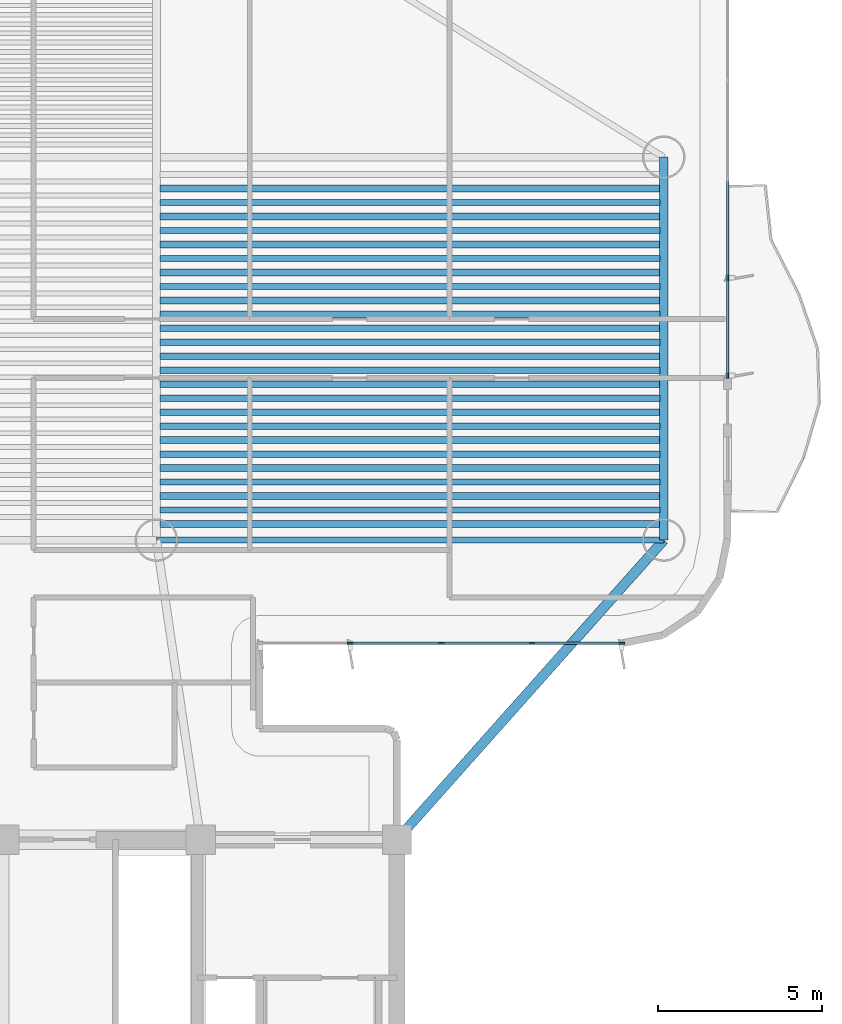
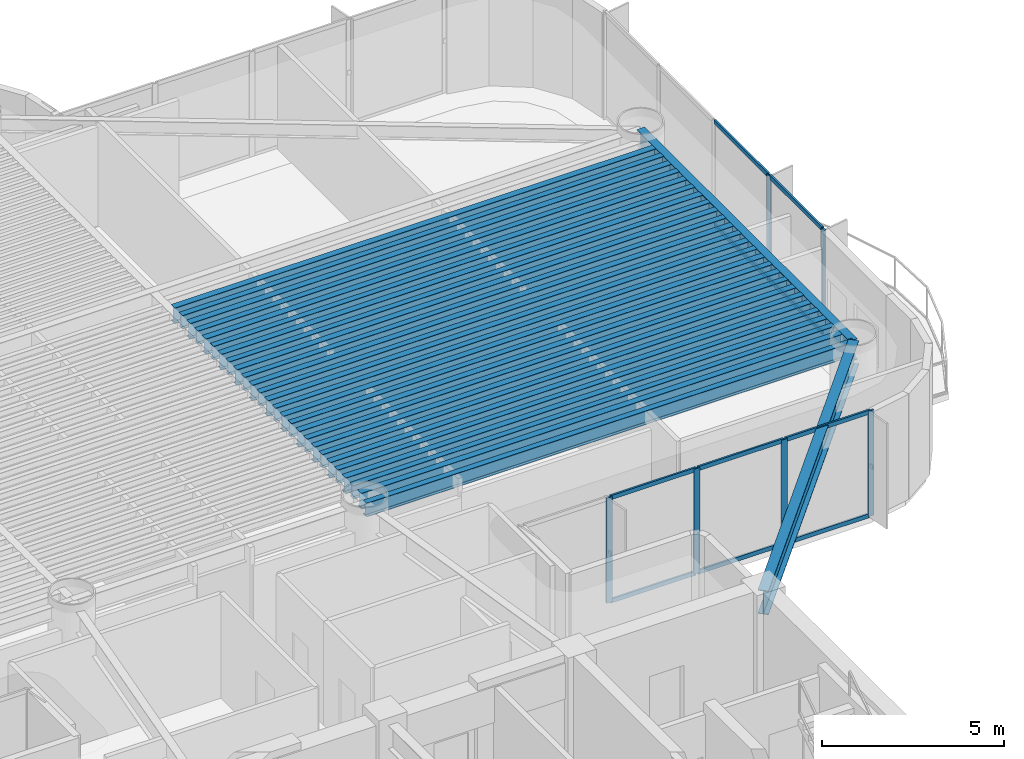
# One storey, part 4 of 16: 28 beams, 16 members, 2 elements without a shape of their own.
"""IFC4 building model written with IfcOpenShell, lengths in metres."""

import ifcopenshell
import ifcopenshell.guid

model = None  # the IFC model being written
_history = None  # IfcOwnerHistory: only IFC2X3 demands one
_inside = {}  # id of a spatial element -> (the spatial element, [elements in it])
_under = {}  # id of a project, library or spatial element -> (it, [spatial elements below it])
_declared = {}  # id of a project -> (the project, [libraries it declares])
_typed = {}  # id of a type object -> (the type object, [elements of that type])
_made_of = {}  # id of a material, layer set ... -> (it, [elements and type objects made of it])


def new_model(schema):
    """Start an empty IFC model of exactly this schema.

    Asked for "IFC4X3", IfcOpenShell would pick the latest addendum, in which some entities
    have other attributes; the version numbers below select the first issue.
    IFC2X3 requires an IfcOwnerHistory on every rooted entity: one is made here for all.
    """
    global model, _history
    if schema == "IFC4X3":
        model = ifcopenshell.file(schema_version=(4, 3, 0, 0))
    else:
        model = ifcopenshell.file(schema=schema)
    _inside.clear()
    _under.clear()
    _declared.clear()
    _typed.clear()
    _made_of.clear()
    _history = None
    if model.schema == "IFC2X3":
        org = make("IfcOrganization", Name="unknown")
        user = make(
            "IfcPersonAndOrganization",
            ThePerson=make("IfcPerson", FamilyName="unknown"),
            TheOrganization=org,
        )
        app = make(
            "IfcApplication",
            ApplicationDeveloper=org,
            Version="unknown",
            ApplicationFullName="unknown",
            ApplicationIdentifier="unknown",
        )
        _history = make(
            "IfcOwnerHistory",
            OwningUser=user,
            OwningApplication=app,
            ChangeAction="ADDED",
            CreationDate=0,
        )
    return model


def make(cls, **values):
    """One entity of the class cls with the attributes given. An attribute that is None is left unset."""
    return model.create_entity(
        cls, **{name: value for name, value in values.items() if value is not None}
    )


def rooted(cls, **values):
    """An entity with a GlobalId (a new one), such as an element, a storey or a relation."""
    return make(cls, GlobalId=ifcopenshell.guid.new(), OwnerHistory=_history, **values)


def si_unit(unit_type, name, prefix=None):
    """IfcSIUnit, for example si_unit("LENGTHUNIT", "METRE", prefix="MILLI")."""
    return make("IfcSIUnit", UnitType=unit_type, Prefix=prefix, Name=name)


def assignment(units):
    """IfcUnitAssignment: the units of a project."""
    return None if units is None else make("IfcUnitAssignment", Units=units)


def point(xyz):
    """IfcCartesianPoint."""
    return None if xyz is None else make("IfcCartesianPoint", Coordinates=xyz)


def direction(xyz):
    """IfcDirection."""
    return None if xyz is None else make("IfcDirection", DirectionRatios=xyz)


def frame(location, z_axis=None, x_axis=None):
    """IfcAxis2Placement3D, a coordinate frame: its origin and axes. An axis left out is left unset."""
    return make(
        "IfcAxis2Placement3D",
        Location=point(location),
        Axis=direction(z_axis),
        RefDirection=direction(x_axis),
    )


def frame_2d(location, x_axis=None):
    """IfcAxis2Placement2D, a coordinate frame in the plane: its origin and x axis."""
    return make(
        "IfcAxis2Placement2D", Location=point(location), RefDirection=direction(x_axis)
    )


def origin():
    """The frame at (0, 0, 0) with its axes left unset."""
    return frame((0.0, 0.0, 0.0))


def origin_2d():
    """The frame at (0, 0) in the plane with its x axis left unset."""
    return frame_2d((0.0, 0.0))


def place(relative_to, where):
    """IfcLocalPlacement: puts the frame where relative to a parent placement (None: the world)."""
    return make(
        "IfcLocalPlacement", PlacementRelTo=relative_to, RelativePlacement=where
    )


def context(
    kind, dimensions, precision=None, world=None, true_north=None, identifier=None
):
    """IfcGeometricRepresentationContext, for example the 3D "Model" context."""
    return make(
        "IfcGeometricRepresentationContext",
        ContextIdentifier=identifier,
        ContextType=kind,
        CoordinateSpaceDimension=dimensions,
        Precision=precision,
        WorldCoordinateSystem=world,
        TrueNorth=true_north,
    )


def subcontext(parent, identifier, kind, view, scale=None):
    """IfcGeometricRepresentationSubContext, for example "Body" below "Model"."""
    return make(
        "IfcGeometricRepresentationSubContext",
        ContextIdentifier=identifier,
        ContextType=kind,
        ParentContext=parent,
        TargetScale=scale,
        TargetView=view,
    )


def project(units=None, contexts=None):
    """IfcProject with its units and contexts."""
    return rooted(
        "IfcProject",
        Name="project",
        RepresentationContexts=contexts,
        UnitsInContext=assignment(units),
    )


def spatial(cls, under=None, at=None, **own):
    """A site, building, storey or space (cls), placed at a placement, below another one or the project."""
    s = rooted(cls, ObjectPlacement=at, **own)
    if under is not None:
        _under.setdefault(under.id(), (under, []))[1].append(s)
    return s


def profile(cls, at=None, kind="AREA", **sizes):
    """A parametric profile (cls). Its sizes go by their IFC names, for example OverallWidth=200.0."""
    return make(cls, ProfileType=kind, Position=at, **sizes)


def rectangle(**sizes):
    """IfcRectangleProfileDef."""
    return profile("IfcRectangleProfileDef", **sizes)


def i_section(**sizes):
    """IfcIShapeProfileDef."""
    return profile("IfcIShapeProfileDef", **sizes)


def extrude(swept, where, along, depth):
    """IfcExtrudedAreaSolid: the profile swept, set in the frame where, extruded along a direction by depth."""
    return make(
        "IfcExtrudedAreaSolid",
        SweptArea=swept,
        Position=where,
        ExtrudedDirection=direction(along),
        Depth=depth,
    )


def shape(context_of_items, identifier, shape_type, items):
    """IfcShapeRepresentation: the items that make up one representation, for example the "Body"."""
    return make(
        "IfcShapeRepresentation",
        ContextOfItems=context_of_items,
        RepresentationIdentifier=identifier,
        RepresentationType=shape_type,
        Items=items,
    )


def source(mapping_origin, context_of_items, identifier, shape_type, items):
    """IfcRepresentationMap: a shape defined once, which mapped items show again and again."""
    return make(
        "IfcRepresentationMap",
        MappingOrigin=mapping_origin,
        MappedRepresentation=shape(context_of_items, identifier, shape_type, items),
    )


def transform(
    local_origin,
    x_axis=None,
    y_axis=None,
    z_axis=None,
    scale=None,
    scale2=None,
    scale3=None,
    uniform=True,
):
    """IfcCartesianTransformationOperator3D, or its non-uniform kind. x_axis, y_axis, z_axis: its Axis1, 2, 3."""
    if uniform:
        return make(
            "IfcCartesianTransformationOperator3D",
            Axis1=direction(x_axis),
            Axis2=direction(y_axis),
            LocalOrigin=point(local_origin),
            Scale=scale,
            Axis3=direction(z_axis),
        )
    return make(
        "IfcCartesianTransformationOperator3DnonUniform",
        Axis1=direction(x_axis),
        Axis2=direction(y_axis),
        LocalOrigin=point(local_origin),
        Scale=scale,
        Axis3=direction(z_axis),
        Scale2=scale2,
        Scale3=scale3,
    )


def mapped(mapping_source, mapping_target):
    """IfcMappedItem: shows the shape of a source again, moved by a transform."""
    return make(
        "IfcMappedItem", MappingSource=mapping_source, MappingTarget=mapping_target
    )


def material(Name=None, Category=None):
    """IfcMaterial."""
    return make("IfcMaterial", Name=Name, Category=Category)


def layer(
    of_material, thickness, ventilated=None, Name=None, Category=None, Priority=None
):
    """IfcMaterialLayer: one layer of a wall or slab, of a material (None: an air gap)."""
    return make(
        "IfcMaterialLayer",
        Material=of_material,
        LayerThickness=thickness,
        IsVentilated=ventilated,
        Name=Name,
        Category=Category,
        Priority=Priority,
    )


def layer_set(layers, Name=None):
    """IfcMaterialLayerSet."""
    return make("IfcMaterialLayerSet", MaterialLayers=layers, LayerSetName=Name)


def material_profile(
    of_material, cross_section, Name=None, Category=None, Priority=None
):
    """IfcMaterialProfile: a cross section and its material."""
    return make(
        "IfcMaterialProfile",
        Name=Name,
        Material=of_material,
        Profile=cross_section,
        Priority=Priority,
        Category=Category,
    )


def profile_set(profiles, Name=None, composite=None):
    """IfcMaterialProfileSet."""
    return make(
        "IfcMaterialProfileSet",
        Name=Name,
        MaterialProfiles=profiles,
        CompositeProfile=composite,
    )


def made_of(thing, what):
    """Note that an element or type object is made of a material, layer set ...; save() writes the relation."""
    if what is not None:
        _made_of.setdefault(what.id(), (what, []))[1].append(thing)
    return thing


def type_object(cls, material=None, **own):
    """A type object (cls), such as IfcWallType, which elements share."""
    return made_of(rooted(cls, **own), material)


def element(
    cls,
    number,
    at=None,
    inside=None,
    cuts=None,
    type_object=None,
    material=None,
    context=None,
    identifier="Body",
    shape_type=None,
    held_by="IfcProductDefinitionShape",
    body=None,
    shapes=None,
    **own,
):
    """One element of the class cls, such as IfcWall. Its Tag is "e" and its number.

    at: its placement. inside: the storey or other place that contains it. cuts: it is an
    opening in that element (IfcRelVoidsElement). A single representation is given by context,
    identifier, shape_type and body (its items); several are given by shapes. held_by: the class
    of the entity that holds the representations. save() writes the other relations.
    """
    e = rooted(cls, Tag="e%d" % number, ObjectPlacement=at, **own)
    if body is not None:
        shapes = [shape(context, identifier, shape_type, body)]
    if shapes is not None:
        e.Representation = make(held_by, Representations=shapes)
    if inside is not None:
        _inside.setdefault(inside.id(), (inside, []))[1].append(e)
    if cuts is not None:
        rooted(
            "IfcRelVoidsElement", RelatingBuildingElement=cuts, RelatedOpeningElement=e
        )
    if type_object is not None:
        _typed.setdefault(type_object.id(), (type_object, []))[1].append(e)
    return made_of(e, material)


def aggregate(whole, parts):
    """IfcRelAggregates: a whole, such as a stair, and the parts it consists of."""
    return rooted("IfcRelAggregates", RelatingObject=whole, RelatedObjects=parts)


def save(model, path):
    """Write the relations noted so far, then the file.

    IfcRelAggregates (storeys below a building ...), IfcRelContainedInSpatialStructure (elements
    in a storey), IfcRelDefinesByType, IfcRelAssociatesMaterial and IfcRelDeclares: one each for
    every whole, place, type object, material and project.
    """
    for whole, parts in _under.values():
        aggregate(whole, parts)
    for where, things in _inside.values():
        rooted(
            "IfcRelContainedInSpatialStructure",
            RelatedElements=things,
            RelatingStructure=where,
        )
    for kind, things in _typed.values():
        rooted("IfcRelDefinesByType", RelatedObjects=things, RelatingType=kind)
    for what, things in _made_of.values():
        rooted("IfcRelAssociatesMaterial", RelatedObjects=things, RelatingMaterial=what)
    for by, libraries in _declared.values():
        rooted("IfcRelDeclares", RelatingContext=by, RelatedDefinitions=libraries)
    model.write(path)


model = new_model("IFC4")

# Units and contexts
model_context = context("Model", 3, precision=1e-05, world=origin(), true_north=direction((0.0, 1.0)))
body_context = subcontext(model_context, "Body", "Model", "MODEL_VIEW")
ifc_project = project(units=[si_unit("LENGTHUNIT", "METRE"), si_unit("AREAUNIT", "SQUARE_METRE"), si_unit("VOLUMEUNIT", "CUBIC_METRE"), si_unit("PLANEANGLEUNIT", "RADIAN"), si_unit("MASSUNIT", "GRAM", prefix="KILO")], contexts=[model_context])

# Site, building, storey
site_placement = place(None, origin())
site = spatial("IfcSite", under=ifc_project, at=site_placement, CompositionType="ELEMENT")
building_placement = place(site_placement, origin())
building = spatial("IfcBuilding", under=site, at=building_placement, Name="Brelvock Crest Care Tower", CompositionType="ELEMENT")
storey_placement = place(building_placement, frame((0.0, 0.0, 108.719970703125)))
storey = spatial("IfcBuildingStorey", under=building, at=storey_placement, Name="L27", CompositionType="ELEMENT", Elevation=108.719970703125)

# Beams
ifc_material_1 = material(Name="Steel Grade 350", Category="steel")
ifc_material_profile_1 = material_profile(ifc_material_1, i_section(OverallWidth=0.208984375, OverallDepth=0.532958984375, WebThickness=0.01025390625, FlangeThickness=0.015625, FilletRadius=0.013916015625, at=origin_2d()), Name="530UB92.4")
ifc_profile_set_1 = profile_set([ifc_material_profile_1], Name="Steel Grade 350")
beam_type_1 = type_object("IfcBeamType", Name="BM-G2", PredefinedType="BEAM", material=ifc_profile_set_1)
shared_shape_1 = source(origin(), body_context, "Body", "SweptSolid", [
    extrude(i_section(OverallWidth=0.208984375, OverallDepth=0.532958984375, WebThickness=0.01025390625, FlangeThickness=0.015625, FilletRadius=0.013916015625, at=origin_2d()), origin(), (0.0, 0.0, 1.0), 15.27001953125),
])
for number, where, z_axis, x_axis, name in (
    (1, (40.764892578125, 27.641357421875, 3.263427734375), (1.0, 0.0, 0.0), (0.0, 1.0, 0.0), "BM-JE-L27-1"),
    (2, (40.764892578125, 28.49560546875, 3.263427734375), (1.0, 0.0, 0.0), (0.0, 1.0, 0.0), "BM-JE-L27-3"),
    (3, (40.764892578125, 29.349609375, 3.263427734375), (1.0, 0.0, 0.0), (0.0, 1.0, 0.0), "BM-JE-L27-5"),
    (4, (40.764892578125, 30.20361328125, 3.263427734375), (1.0, 0.0, 0.0), (0.0, 1.0, 0.0), "BM-JE-L27-7"),
    (5, (40.764892578125, 31.057861328125, 3.263427734375), (1.0, 0.0, 0.0), (0.0, 1.0, 0.0), "BM-JE-L27-9"),
    (6, (40.764892578125, 31.911865234375, 3.263427734375), (1.0, 0.0, 0.0), (0.0, 1.0, 0.0), "BM-JE-L27-11"),
    (7, (40.764892578125, 32.76611328125, 3.263427734375), (1.0, 0.0, 0.0), (0.0, 1.0, 0.0), "BM-JE-L27-13"),
    (8, (40.764892578125, 33.6201171875, 3.263427734375), (1.0, 0.0, 0.0), (0.0, 1.0, 0.0), "BM-JE-L27-15"),
    (9, (40.764892578125, 34.47412109375, 3.263427734375), (1.0, 0.0, 0.0), (0.0, 1.0, 0.0), "BM-JE-L27-17"),
    (10, (40.764892578125, 35.328369140625, 3.263427734375), (1.0, 0.0, 0.0), (0.0, 1.0, 0.0), "BM-JE-L27-19"),
    (11, (40.764892578125, 36.182373046875, 3.263427734375), (1.0, 0.0, 0.0), (0.0, 1.0, 0.0), "BM-JE-L27-21"),
    (12, (40.764892578125, 37.03662109375, 3.263427734375), (1.0, 0.0, 0.0), (0.0, 1.0, 0.0), "BM-JE-L27-23"),
    (13, (40.764892578125, 37.890625, 3.263427734375), (1.0, 0.0, 0.0), (0.0, 1.0, 0.0), "BM-JE-L27-25"),
):
    element("IfcBeam", number, at=place(storey_placement, frame(where, z_axis=z_axis, x_axis=x_axis)), inside=storey, type_object=beam_type_1, Name=name, PredefinedType="BEAM", context=body_context, shape_type="MappedRepresentation", body=[
        mapped(shared_shape_1, transform((0.0, 0.0, 0.0), x_axis=(1.0, 0.0, 0.0), y_axis=(0.0, 1.0, 0.0), z_axis=(0.0, 0.0, 1.0), scale=1.0)),
    ])
ifc_material_profile_2 = material_profile(ifc_material_1, i_section(OverallWidth=0.19091796875, OverallDepth=0.4599609375, WebThickness=0.010009765625, FlangeThickness=0.01611328125, FilletRadius=0.011474609375, at=origin_2d()), Name="460UB82.1")
ifc_profile_set_2 = profile_set([ifc_material_profile_2], Name="Steel Grade 350")
beam_type_2 = type_object("IfcBeamType", Name="BM-G3", PredefinedType="BEAM", material=ifc_profile_set_2)
shared_shape_2 = source(origin(), body_context, "Body", "SweptSolid", [
    extrude(i_section(OverallWidth=0.19091796875, OverallDepth=0.4599609375, WebThickness=0.010009765625, FlangeThickness=0.01611328125, FilletRadius=0.011474609375, at=origin_2d()), origin(), (0.0, 0.0, 1.0), 15.27001953125),
])
for number, where, z_axis, x_axis, name in (
    (14, (40.764892578125, 28.068359375, 3.300048828125), (1.0, 0.0, 0.0), (0.0, 1.0, 0.0), "BM-JE-L27-2"),
    (15, (40.764892578125, 28.922607421875, 3.300048828125), (1.0, 0.0, 0.0), (0.0, 1.0, 0.0), "BM-JE-L27-4"),
    (16, (40.764892578125, 29.776611328125, 3.300048828125), (1.0, 0.0, 0.0), (0.0, 1.0, 0.0), "BM-JE-L27-6"),
    (17, (40.764892578125, 30.630615234375, 3.300048828125), (1.0, 0.0, 0.0), (0.0, 1.0, 0.0), "BM-JE-L27-8"),
    (18, (40.764892578125, 31.48486328125, 3.300048828125), (1.0, 0.0, 0.0), (0.0, 1.0, 0.0), "BM-JE-L27-10"),
    (19, (40.764892578125, 32.3388671875, 3.300048828125), (1.0, 0.0, 0.0), (0.0, 1.0, 0.0), "BM-JE-L27-12"),
    (20, (40.764892578125, 33.193115234375, 3.300048828125), (1.0, 0.0, 0.0), (0.0, 1.0, 0.0), "BM-JE-L27-14"),
    (21, (40.764892578125, 34.047119140625, 3.300048828125), (1.0, 0.0, 0.0), (0.0, 1.0, 0.0), "BM-JE-L27-16"),
    (22, (40.764892578125, 34.901123046875, 3.300048828125), (1.0, 0.0, 0.0), (0.0, 1.0, 0.0), "BM-JE-L27-18"),
    (23, (40.764892578125, 35.75537109375, 3.300048828125), (1.0, 0.0, 0.0), (0.0, 1.0, 0.0), "BM-JE-L27-20"),
    (24, (40.764892578125, 36.609619140625, 3.300048828125), (1.0, 0.0, 0.0), (0.0, 1.0, 0.0), "BM-JE-L27-22"),
    (25, (40.764892578125, 37.46337890625, 3.300048828125), (1.0, 0.0, 0.0), (0.0, 1.0, 0.0), "BM-JE-L27-24"),
):
    element("IfcBeam", number, at=place(storey_placement, frame(where, z_axis=z_axis, x_axis=x_axis)), inside=storey, type_object=beam_type_2, Name=name, PredefinedType="BEAM", context=body_context, shape_type="MappedRepresentation", body=[
        mapped(shared_shape_2, transform((0.0, 0.0, 0.0), x_axis=(1.0, 0.0, 0.0), y_axis=(0.0, 1.0, 0.0), z_axis=(0.0, 0.0, 1.0), scale=1.0)),
    ])
ifc_material_profile_3 = material_profile(ifc_material_1, i_section(OverallWidth=0.25, OverallDepth=0.699951171875, WebThickness=0.011962890625, FlangeThickness=0.02001953125, at=origin_2d()), Name="700WB150")
ifc_profile_set_3 = profile_set([ifc_material_profile_3], Name="Steel Grade 350")
beam_type_3 = type_object("IfcBeamType", Name="BM-G4", PredefinedType="BEAM", material=ifc_profile_set_3)
shared_shape_3 = source(origin(), body_context, "Body", "SweptSolid", [
    extrude(i_section(OverallWidth=0.25, OverallDepth=0.699951171875, WebThickness=0.011962890625, FlangeThickness=0.02001953125, at=origin_2d()), origin(), (0.0, 0.0, 1.0), 11.7001953125),
])
beam_1_placement = place(storey_placement, frame((56.14990234375, 27.14990234375, 3.179931640625), z_axis=(0.0, 1.0, 0.0), x_axis=(-1.0, 0.0, 0.0)))
element("IfcBeam", 26, at=beam_1_placement, inside=storey, type_object=beam_type_3, Name="BM-TWR-L27-02", PredefinedType="BEAM", context=body_context, shape_type="MappedRepresentation", body=[
    mapped(shared_shape_3, transform((0.0, 0.0, 0.0), x_axis=(1.0, 0.0, 0.0), y_axis=(0.0, 1.0, 0.0), z_axis=(0.0, 0.0, 1.0), scale=1.0)),
])
ifc_material_profile_4 = material_profile(ifc_material_1, i_section(OverallWidth=0.19091796875, OverallDepth=0.4599609375, WebThickness=0.010009765625, FlangeThickness=0.01611328125, FilletRadius=0.011474609375, at=origin_2d()), Name="460UB82.1")
ifc_profile_set_4 = profile_set([ifc_material_profile_4], Name="Steel Grade 350")
beam_type_4 = type_object("IfcBeamType", Name="BM-SP2", PredefinedType="SPANDREL", material=ifc_profile_set_4)
shared_shape_4 = source(origin(), body_context, "Body", "SweptSolid", [
    extrude(i_section(OverallWidth=0.19091796875, OverallDepth=0.4599609375, WebThickness=0.010009765625, FlangeThickness=0.01611328125, FilletRadius=0.011474609375, at=origin_2d()), origin(), (0.0, 0.0, 1.0), 15.5),
])
beam_2_placement = place(storey_placement, frame((40.64990234375, 27.14990234375, 3.300048828125), z_axis=(1.0, 0.0, 0.0), x_axis=(0.0, 1.0, 0.0)))
element("IfcBeam", 27, at=beam_2_placement, inside=storey, type_object=beam_type_4, Name="BM-TWR-L27-04", PredefinedType="SPANDREL", context=body_context, shape_type="MappedRepresentation", body=[
    mapped(shared_shape_4, transform((0.0, 0.0, 0.0), x_axis=(1.0, 0.0, 0.0), y_axis=(0.0, 1.0, 0.0), z_axis=(0.0, 0.0, 1.0), scale=1.0)),
])
ifc_material_profile_5 = material_profile(ifc_material_1, i_section(OverallWidth=0.300048828125, OverallDepth=0.800048828125, WebThickness=0.013916015625, FlangeThickness=0.02197265625, at=origin_2d()), Name="800WB192")
ifc_profile_set_5 = profile_set([ifc_material_profile_5], Name="Steel Grade 350")
beam_type_5 = type_object("IfcBeamType", Name="BM-G5", PredefinedType="BEAM", material=ifc_profile_set_5)
shared_shape_5 = source(origin(), body_context, "Body", "SweptSolid", [
    extrude(i_section(OverallWidth=0.300048828125, OverallDepth=0.800048828125, WebThickness=0.013916015625, FlangeThickness=0.02197265625, at=origin_2d()), origin(), (0.0, 0.0, 1.0), 12.253173828125),
])
beam_3_placement = place(storey_placement, frame((48.0, 18.0, 3.130126953125), z_axis=(0.665122829149, 0.746733970129, 0.0), x_axis=(-0.746733970129, 0.665122829149, 0.0)))
element("IfcBeam", 28, at=beam_3_placement, inside=storey, type_object=beam_type_5, Name="BM-THRO-E-L27", PredefinedType="BEAM", context=body_context, shape_type="MappedRepresentation", body=[
    mapped(shared_shape_5, transform((0.0, 0.0, 0.0), x_axis=(1.0, 0.0, 0.0), y_axis=(0.0, 1.0, 0.0), z_axis=(0.0, 0.0, 1.0), scale=1.0)),
])

# Curtain wall, members
ifc_material_2 = material(Name="Dark Glass Double Glazed Low-E", Category="glass")
ifc_layer = layer(ifc_material_2, 0.2099609375, Name="CWS-3")
ifc_layer_set = layer_set([ifc_layer], Name="Dark Glass Double Glazed Low-E")
curtain_wall_type = type_object("IfcCurtainWallType", Name="CWS-3", PredefinedType="NOTDEFINED", material=ifc_layer_set)
curtain_wall_1_placement = place(storey_placement, origin())
curtain_wall_1 = element("IfcCurtainWall", 29, at=curtain_wall_1_placement, inside=storey, type_object=curtain_wall_type, Name="L27 Curtain Wall E39A", PredefinedType="NOTDEFINED")
ifc_material_3 = material(Name="Aluminium 6063-T6", Category="aluminium")
ifc_material_profile_6 = material_profile(ifc_material_3, rectangle(XDim=0.06005859375, YDim=0.179931640625, at=origin_2d()), Name="ALU60x180")
ifc_profile_set_6 = profile_set([ifc_material_profile_6], Name="Aluminium 6063-T6")
member_type_1 = type_object("IfcMemberType", Name="CWM-2", PredefinedType="MULLION", material=ifc_profile_set_6)
shared_shape_6 = source(origin(), body_context, "Body", "SweptSolid", [
    extrude(rectangle(XDim=0.06005859375, YDim=0.179931640625, at=origin_2d()), origin(), (0.0, 0.0, 1.0), 3.530029296875),
])
member_1_placement = place(storey_placement, frame((58.10009765625, 35.16259765625, 0.0), z_axis=(0.0, 0.0, 1.0), x_axis=(1.0, 0.0, 0.0)))
member_1 = element("IfcMember", 30, at=member_1_placement, type_object=member_type_1, Name="CW-3 mullion 4", PredefinedType="MULLION", context=body_context, shape_type="MappedRepresentation", body=[
    mapped(shared_shape_6, transform((0.0, 0.0, 0.0), x_axis=(1.0, 0.0, 0.0), y_axis=(0.0, 1.0, 0.0), z_axis=(0.0, 0.0, 1.0), scale=1.0)),
])
member_2_placement = place(storey_placement, frame((58.10009765625, 32.179931640625, 0.0), z_axis=(0.0, 0.0, 1.0), x_axis=(1.0, 0.0, 0.0)))
member_2 = element("IfcMember", 31, at=member_2_placement, type_object=member_type_1, Name="CW-3 mullion 5", PredefinedType="MULLION", context=body_context, shape_type="MappedRepresentation", body=[
    mapped(shared_shape_6, transform((0.0, 0.0, 0.0), x_axis=(1.0, 0.0, 0.0), y_axis=(0.0, 1.0, 0.0), z_axis=(0.0, 0.0, 1.0), scale=1.0)),
])

curtain_wall_2_placement = place(storey_placement, origin())
curtain_wall_2 = element("IfcCurtainWall", 32, at=curtain_wall_2_placement, inside=storey, type_object=curtain_wall_type, Name="L27 Curtain Wall E44", PredefinedType="NOTDEFINED")
member_3_placement = place(storey_placement, frame((54.8701171875, 24.0, 0.0), z_axis=(0.0, 0.0, 1.0), x_axis=(0.0, -1.0, 0.0)))
member_3 = element("IfcMember", 33, at=member_3_placement, type_object=member_type_1, Name="CW-3 mullion 1", PredefinedType="MULLION", context=body_context, shape_type="MappedRepresentation", body=[
    mapped(shared_shape_6, transform((0.0, 0.0, 0.0), x_axis=(1.0, 0.0, 0.0), y_axis=(0.0, 1.0, 0.0), z_axis=(0.0, 0.0, 1.0), scale=1.0)),
])
member_4_placement = place(storey_placement, frame((52.125, 24.0, 0.0), z_axis=(0.0, 0.0, 1.0), x_axis=(0.0, -1.0, 0.0)))
member_4 = element("IfcMember", 34, at=member_4_placement, type_object=member_type_1, Name="CW-3 mullion 2", PredefinedType="MULLION", context=body_context, shape_type="MappedRepresentation", body=[
    mapped(shared_shape_6, transform((0.0, 0.0, 0.0), x_axis=(1.0, 0.0, 0.0), y_axis=(0.0, 1.0, 0.0), z_axis=(0.0, 0.0, 1.0), scale=1.0)),
])
member_5_placement = place(storey_placement, frame((49.35009765625, 24.0, 0.0), z_axis=(0.0, 0.0, 1.0), x_axis=(0.0, -1.0, 0.0)))
member_5 = element("IfcMember", 35, at=member_5_placement, type_object=member_type_1, Name="CW-3 mullion 3", PredefinedType="MULLION", context=body_context, shape_type="MappedRepresentation", body=[
    mapped(shared_shape_6, transform((0.0, 0.0, 0.0), x_axis=(1.0, 0.0, 0.0), y_axis=(0.0, 1.0, 0.0), z_axis=(0.0, 0.0, 1.0), scale=1.0)),
])
member_6_placement = place(storey_placement, frame((46.574951171875, 24.0, 0.0), z_axis=(0.0, 0.0, 1.0), x_axis=(0.0, -1.0, 0.0)))
member_6 = element("IfcMember", 36, at=member_6_placement, type_object=member_type_1, Name="CW-3 mullion 4", PredefinedType="MULLION", context=body_context, shape_type="MappedRepresentation", body=[
    mapped(shared_shape_6, transform((0.0, 0.0, 0.0), x_axis=(1.0, 0.0, 0.0), y_axis=(0.0, 1.0, 0.0), z_axis=(0.0, 0.0, 1.0), scale=1.0)),
])
ifc_material_profile_7 = material_profile(ifc_material_3, rectangle(XDim=0.06005859375, YDim=0.139892578125, at=origin_2d()), Name="ALU60x140")
ifc_profile_set_7 = profile_set([ifc_material_profile_7], Name="Aluminium 6063-T6")
member_type_2 = type_object("IfcMemberType", Name="CWT-2", PredefinedType="USERDEFINED", material=ifc_profile_set_7)
shared_shape_7 = source(origin(), body_context, "Body", "SweptSolid", [
    extrude(rectangle(XDim=0.06005859375, YDim=0.139892578125, at=origin_2d()), origin(), (0.0, 0.0, 1.0), 2.715087890625),
])
member_7_placement = place(storey_placement, frame((52.094970703125, 24.0, 0.030029296875), z_axis=(-1.0, 0.0, 0.0), x_axis=(0.0, -1.0, 0.0)))
member_7 = element("IfcMember", 37, at=member_7_placement, type_object=member_type_2, Name="CW-3 transom 2.1", ObjectType="TRANSOM", PredefinedType="USERDEFINED", context=body_context, shape_type="MappedRepresentation", body=[
    mapped(shared_shape_7, transform((0.0, 0.0, 0.0), x_axis=(1.0, 0.0, 0.0), y_axis=(0.0, 1.0, 0.0), z_axis=(0.0, 0.0, 1.0), scale=1.0)),
])
member_8_placement = place(storey_placement, frame((52.094970703125, 24.0, 3.5), z_axis=(-1.0, 0.0, 0.0), x_axis=(0.0, -1.0, 0.0)))
member_8 = element("IfcMember", 38, at=member_8_placement, type_object=member_type_2, Name="CW-3 transom 2.2", ObjectType="TRANSOM", PredefinedType="USERDEFINED", context=body_context, shape_type="MappedRepresentation", body=[
    mapped(shared_shape_7, transform((0.0, 0.0, 0.0), x_axis=(1.0, 0.0, 0.0), y_axis=(0.0, 1.0, 0.0), z_axis=(0.0, 0.0, 1.0), scale=1.0)),
])
member_9_placement = place(storey_placement, frame((49.320068359375, 24.0, 0.030029296875), z_axis=(-1.0, 0.0, 0.0), x_axis=(0.0, -1.0, 0.0)))
member_9 = element("IfcMember", 39, at=member_9_placement, type_object=member_type_2, Name="CW-3 transom 3.1", ObjectType="TRANSOM", PredefinedType="USERDEFINED", context=body_context, shape_type="MappedRepresentation", body=[
    mapped(shared_shape_7, transform((0.0, 0.0, 0.0), x_axis=(1.0, 0.0, 0.0), y_axis=(0.0, 1.0, 0.0), z_axis=(0.0, 0.0, 1.0), scale=1.0)),
])
member_10_placement = place(storey_placement, frame((49.320068359375, 24.0, 3.5), z_axis=(-1.0, 0.0, 0.0), x_axis=(0.0, -1.0, 0.0)))
member_10 = element("IfcMember", 40, at=member_10_placement, type_object=member_type_2, Name="CW-3 transom 3.2", ObjectType="TRANSOM", PredefinedType="USERDEFINED", context=body_context, shape_type="MappedRepresentation", body=[
    mapped(shared_shape_7, transform((0.0, 0.0, 0.0), x_axis=(1.0, 0.0, 0.0), y_axis=(0.0, 1.0, 0.0), z_axis=(0.0, 0.0, 1.0), scale=1.0)),
])
shared_shape_8 = source(origin(), body_context, "Body", "SweptSolid", [
    extrude(rectangle(XDim=0.06005859375, YDim=0.139892578125, at=origin_2d()), origin(), (0.0, 0.0, 1.0), 2.68505859375),
])
member_11_placement = place(storey_placement, frame((54.840087890625, 24.0, 0.030029296875), z_axis=(-1.0, 0.0, 0.0), x_axis=(0.0, -1.0, 0.0)))
member_11 = element("IfcMember", 41, at=member_11_placement, type_object=member_type_2, Name="CW-3 transom 1.1", ObjectType="TRANSOM", PredefinedType="USERDEFINED", context=body_context, shape_type="MappedRepresentation", body=[
    mapped(shared_shape_8, transform((0.0, 0.0, 0.0), x_axis=(1.0, 0.0, 0.0), y_axis=(0.0, 1.0, 0.0), z_axis=(0.0, 0.0, 1.0), scale=1.0)),
])
member_12_placement = place(storey_placement, frame((54.840087890625, 24.0, 3.5), z_axis=(-1.0, 0.0, 0.0), x_axis=(0.0, -1.0, 0.0)))
member_12 = element("IfcMember", 42, at=member_12_placement, type_object=member_type_2, Name="CW-3 transom 1.2", ObjectType="TRANSOM", PredefinedType="USERDEFINED", context=body_context, shape_type="MappedRepresentation", body=[
    mapped(shared_shape_8, transform((0.0, 0.0, 0.0), x_axis=(1.0, 0.0, 0.0), y_axis=(0.0, 1.0, 0.0), z_axis=(0.0, 0.0, 1.0), scale=1.0)),
])
aggregate(curtain_wall_2, [member_3, member_4, member_5, member_6, member_11, member_12, member_7, member_8, member_9, member_10])

# Member
shared_shape_9 = source(origin(), body_context, "Body", "SweptSolid", [
    extrude(rectangle(XDim=0.06005859375, YDim=0.139892578125, at=origin_2d()), origin(), (0.0, 0.0, 1.0), 2.922607421875),
])
member_13_placement = place(storey_placement, frame((58.10009765625, 35.132568359375, 0.030029296875), z_axis=(0.0, -1.0, 0.0), x_axis=(1.0, 0.0, 0.0)))
member_13 = element("IfcMember", 43, at=member_13_placement, type_object=member_type_2, Name="CW-3 transom 4.1", ObjectType="TRANSOM", PredefinedType="USERDEFINED", context=body_context, shape_type="MappedRepresentation", body=[
    mapped(shared_shape_9, transform((0.0, 0.0, 0.0), x_axis=(1.0, 0.0, 0.0), y_axis=(0.0, 1.0, 0.0), z_axis=(0.0, 0.0, 1.0), scale=1.0)),
])

member_14_placement = place(storey_placement, frame((58.10009765625, 35.132568359375, 3.5), z_axis=(0.0, -1.0, 0.0), x_axis=(1.0, 0.0, 0.0)))
member_14 = element("IfcMember", 44, at=member_14_placement, type_object=member_type_2, Name="CW-3 transom 4.2", ObjectType="TRANSOM", PredefinedType="USERDEFINED", context=body_context, shape_type="MappedRepresentation", body=[
    mapped(shared_shape_9, transform((0.0, 0.0, 0.0), x_axis=(1.0, 0.0, 0.0), y_axis=(0.0, 1.0, 0.0), z_axis=(0.0, 0.0, 1.0), scale=1.0)),
])

shared_shape_10 = source(origin(), body_context, "Body", "SweptSolid", [
    extrude(rectangle(XDim=0.06005859375, YDim=0.139892578125, at=origin_2d()), origin(), (0.0, 0.0, 1.0), 2.95263671875),
])
member_15_placement = place(storey_placement, frame((58.10009765625, 38.14501953125, 0.030029296875), z_axis=(0.0, -1.0, 0.0), x_axis=(1.0, 0.0, 0.0)))
member_15 = element("IfcMember", 45, at=member_15_placement, type_object=member_type_2, Name="CW-3 transom 3.1", ObjectType="TRANSOM", PredefinedType="USERDEFINED", context=body_context, shape_type="MappedRepresentation", body=[
    mapped(shared_shape_10, transform((0.0, 0.0, 0.0), x_axis=(1.0, 0.0, 0.0), y_axis=(0.0, 1.0, 0.0), z_axis=(0.0, 0.0, 1.0), scale=1.0)),
])

member_16_placement = place(storey_placement, frame((58.10009765625, 38.14501953125, 3.5), z_axis=(0.0, -1.0, 0.0), x_axis=(1.0, 0.0, 0.0)))
member_16 = element("IfcMember", 46, at=member_16_placement, type_object=member_type_2, Name="CW-3 transom 3.2", ObjectType="TRANSOM", PredefinedType="USERDEFINED", context=body_context, shape_type="MappedRepresentation", body=[
    mapped(shared_shape_10, transform((0.0, 0.0, 0.0), x_axis=(1.0, 0.0, 0.0), y_axis=(0.0, 1.0, 0.0), z_axis=(0.0, 0.0, 1.0), scale=1.0)),
])

aggregate(curtain_wall_1, [member_1, member_2, member_15, member_16, member_13, member_14])

save(model, "model.ifc")
